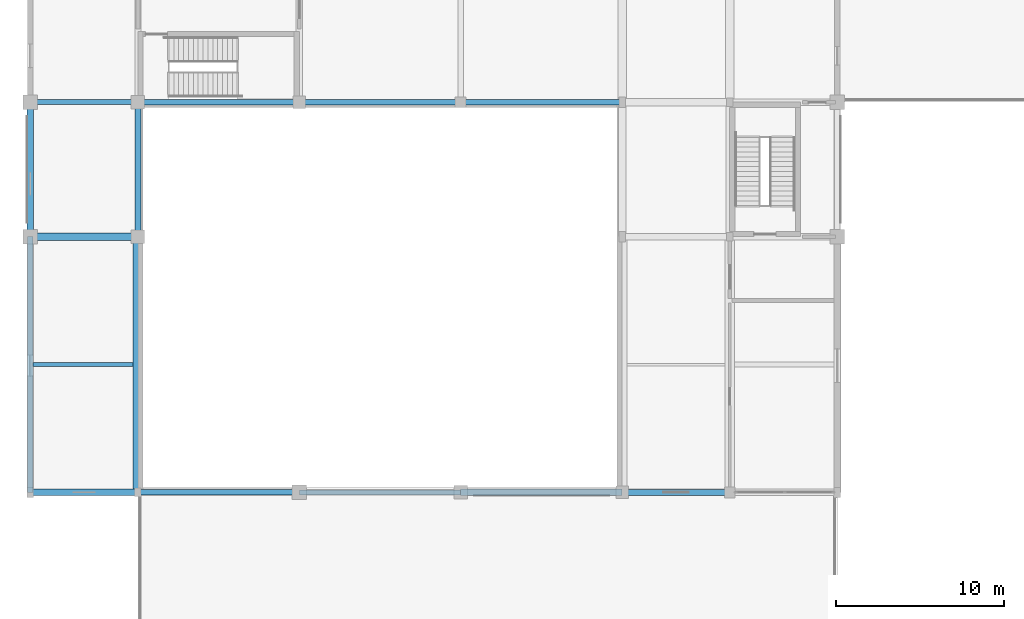
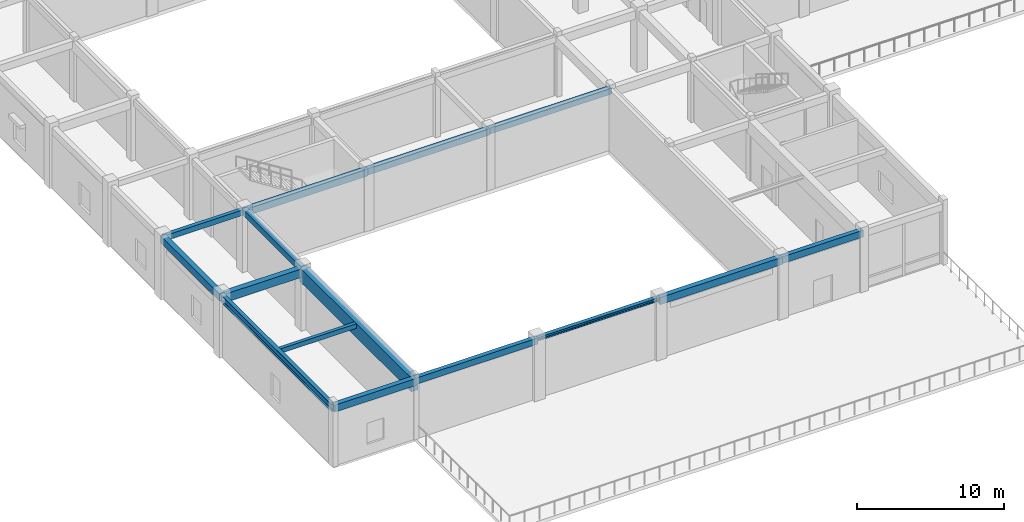
# One storey, part 3 of 36: 15 beams.
"""IFC4 building model written with IfcOpenShell, lengths in metres."""

import ifcopenshell
import ifcopenshell.guid

model = None  # the IFC model being written
_history = None  # IfcOwnerHistory: only IFC2X3 demands one
_inside = {}  # id of a spatial element -> (the spatial element, [elements in it])
_under = {}  # id of a project, library or spatial element -> (it, [spatial elements below it])
_declared = {}  # id of a project -> (the project, [libraries it declares])
_typed = {}  # id of a type object -> (the type object, [elements of that type])
_made_of = {}  # id of a material, layer set ... -> (it, [elements and type objects made of it])


def new_model(schema):
    """Start an empty IFC model of exactly this schema.

    Asked for "IFC4X3", IfcOpenShell would pick the latest addendum, in which some entities
    have other attributes; the version numbers below select the first issue.
    IFC2X3 requires an IfcOwnerHistory on every rooted entity: one is made here for all.
    """
    global model, _history
    if schema == "IFC4X3":
        model = ifcopenshell.file(schema_version=(4, 3, 0, 0))
    else:
        model = ifcopenshell.file(schema=schema)
    _inside.clear()
    _under.clear()
    _declared.clear()
    _typed.clear()
    _made_of.clear()
    _history = None
    if model.schema == "IFC2X3":
        org = make("IfcOrganization", Name="unknown")
        user = make(
            "IfcPersonAndOrganization",
            ThePerson=make("IfcPerson", FamilyName="unknown"),
            TheOrganization=org,
        )
        app = make(
            "IfcApplication",
            ApplicationDeveloper=org,
            Version="unknown",
            ApplicationFullName="unknown",
            ApplicationIdentifier="unknown",
        )
        _history = make(
            "IfcOwnerHistory",
            OwningUser=user,
            OwningApplication=app,
            ChangeAction="ADDED",
            CreationDate=0,
        )
    return model


def make(cls, **values):
    """One entity of the class cls with the attributes given. An attribute that is None is left unset."""
    return model.create_entity(
        cls, **{name: value for name, value in values.items() if value is not None}
    )


def rooted(cls, **values):
    """An entity with a GlobalId (a new one), such as an element, a storey or a relation."""
    return make(cls, GlobalId=ifcopenshell.guid.new(), OwnerHistory=_history, **values)


def si_unit(unit_type, name, prefix=None):
    """IfcSIUnit, for example si_unit("LENGTHUNIT", "METRE", prefix="MILLI")."""
    return make("IfcSIUnit", UnitType=unit_type, Prefix=prefix, Name=name)


def assignment(units):
    """IfcUnitAssignment: the units of a project."""
    return None if units is None else make("IfcUnitAssignment", Units=units)


def point(xyz):
    """IfcCartesianPoint."""
    return None if xyz is None else make("IfcCartesianPoint", Coordinates=xyz)


def direction(xyz):
    """IfcDirection."""
    return None if xyz is None else make("IfcDirection", DirectionRatios=xyz)


def frame(location, z_axis=None, x_axis=None):
    """IfcAxis2Placement3D, a coordinate frame: its origin and axes. An axis left out is left unset."""
    return make(
        "IfcAxis2Placement3D",
        Location=point(location),
        Axis=direction(z_axis),
        RefDirection=direction(x_axis),
    )


def frame_2d(location, x_axis=None):
    """IfcAxis2Placement2D, a coordinate frame in the plane: its origin and x axis."""
    return make(
        "IfcAxis2Placement2D", Location=point(location), RefDirection=direction(x_axis)
    )


def origin():
    """The frame at (0, 0, 0) with its axes left unset."""
    return frame((0.0, 0.0, 0.0))


def origin_2d():
    """The frame at (0, 0) in the plane with its x axis left unset."""
    return frame_2d((0.0, 0.0))


def place(relative_to, where):
    """IfcLocalPlacement: puts the frame where relative to a parent placement (None: the world)."""
    return make(
        "IfcLocalPlacement", PlacementRelTo=relative_to, RelativePlacement=where
    )


def context(
    kind, dimensions, precision=None, world=None, true_north=None, identifier=None
):
    """IfcGeometricRepresentationContext, for example the 3D "Model" context."""
    return make(
        "IfcGeometricRepresentationContext",
        ContextIdentifier=identifier,
        ContextType=kind,
        CoordinateSpaceDimension=dimensions,
        Precision=precision,
        WorldCoordinateSystem=world,
        TrueNorth=true_north,
    )


def subcontext(parent, identifier, kind, view, scale=None):
    """IfcGeometricRepresentationSubContext, for example "Body" below "Model"."""
    return make(
        "IfcGeometricRepresentationSubContext",
        ContextIdentifier=identifier,
        ContextType=kind,
        ParentContext=parent,
        TargetScale=scale,
        TargetView=view,
    )


def project(units=None, contexts=None):
    """IfcProject with its units and contexts."""
    return rooted(
        "IfcProject",
        Name="project",
        RepresentationContexts=contexts,
        UnitsInContext=assignment(units),
    )


def spatial(cls, under=None, at=None, **own):
    """A site, building, storey or space (cls), placed at a placement, below another one or the project."""
    s = rooted(cls, ObjectPlacement=at, **own)
    if under is not None:
        _under.setdefault(under.id(), (under, []))[1].append(s)
    return s


def profile(cls, at=None, kind="AREA", **sizes):
    """A parametric profile (cls). Its sizes go by their IFC names, for example OverallWidth=200.0."""
    return make(cls, ProfileType=kind, Position=at, **sizes)


def rectangle(**sizes):
    """IfcRectangleProfileDef."""
    return profile("IfcRectangleProfileDef", **sizes)


def i_section(**sizes):
    """IfcIShapeProfileDef."""
    return profile("IfcIShapeProfileDef", **sizes)


def extrude(swept, where, along, depth):
    """IfcExtrudedAreaSolid: the profile swept, set in the frame where, extruded along a direction by depth."""
    return make(
        "IfcExtrudedAreaSolid",
        SweptArea=swept,
        Position=where,
        ExtrudedDirection=direction(along),
        Depth=depth,
    )


def shape(context_of_items, identifier, shape_type, items):
    """IfcShapeRepresentation: the items that make up one representation, for example the "Body"."""
    return make(
        "IfcShapeRepresentation",
        ContextOfItems=context_of_items,
        RepresentationIdentifier=identifier,
        RepresentationType=shape_type,
        Items=items,
    )


def material(Name=None, Category=None):
    """IfcMaterial."""
    return make("IfcMaterial", Name=Name, Category=Category)


def material_profile(
    of_material, cross_section, Name=None, Category=None, Priority=None
):
    """IfcMaterialProfile: a cross section and its material."""
    return make(
        "IfcMaterialProfile",
        Name=Name,
        Material=of_material,
        Profile=cross_section,
        Priority=Priority,
        Category=Category,
    )


def profile_set(profiles, Name=None, composite=None):
    """IfcMaterialProfileSet."""
    return make(
        "IfcMaterialProfileSet",
        Name=Name,
        MaterialProfiles=profiles,
        CompositeProfile=composite,
    )


def made_of(thing, what):
    """Note that an element or type object is made of a material, layer set ...; save() writes the relation."""
    if what is not None:
        _made_of.setdefault(what.id(), (what, []))[1].append(thing)
    return thing


def type_object(cls, material=None, **own):
    """A type object (cls), such as IfcWallType, which elements share."""
    return made_of(rooted(cls, **own), material)


def element(
    cls,
    number,
    at=None,
    inside=None,
    cuts=None,
    type_object=None,
    material=None,
    context=None,
    identifier="Body",
    shape_type=None,
    held_by="IfcProductDefinitionShape",
    body=None,
    shapes=None,
    **own,
):
    """One element of the class cls, such as IfcWall. Its Tag is "e" and its number.

    at: its placement. inside: the storey or other place that contains it. cuts: it is an
    opening in that element (IfcRelVoidsElement). A single representation is given by context,
    identifier, shape_type and body (its items); several are given by shapes. held_by: the class
    of the entity that holds the representations. save() writes the other relations.
    """
    e = rooted(cls, Tag="e%d" % number, ObjectPlacement=at, **own)
    if body is not None:
        shapes = [shape(context, identifier, shape_type, body)]
    if shapes is not None:
        e.Representation = make(held_by, Representations=shapes)
    if inside is not None:
        _inside.setdefault(inside.id(), (inside, []))[1].append(e)
    if cuts is not None:
        rooted(
            "IfcRelVoidsElement", RelatingBuildingElement=cuts, RelatedOpeningElement=e
        )
    if type_object is not None:
        _typed.setdefault(type_object.id(), (type_object, []))[1].append(e)
    return made_of(e, material)


def aggregate(whole, parts):
    """IfcRelAggregates: a whole, such as a stair, and the parts it consists of."""
    return rooted("IfcRelAggregates", RelatingObject=whole, RelatedObjects=parts)


def save(model, path):
    """Write the relations noted so far, then the file.

    IfcRelAggregates (storeys below a building ...), IfcRelContainedInSpatialStructure (elements
    in a storey), IfcRelDefinesByType, IfcRelAssociatesMaterial and IfcRelDeclares: one each for
    every whole, place, type object, material and project.
    """
    for whole, parts in _under.values():
        aggregate(whole, parts)
    for where, things in _inside.values():
        rooted(
            "IfcRelContainedInSpatialStructure",
            RelatedElements=things,
            RelatingStructure=where,
        )
    for kind, things in _typed.values():
        rooted("IfcRelDefinesByType", RelatedObjects=things, RelatingType=kind)
    for what, things in _made_of.values():
        rooted("IfcRelAssociatesMaterial", RelatedObjects=things, RelatingMaterial=what)
    for by, libraries in _declared.values():
        rooted("IfcRelDeclares", RelatingContext=by, RelatedDefinitions=libraries)
    model.write(path)


model = new_model("IFC4")

# Units and contexts
model_context = context("Model", 3, precision=1e-05, world=origin(), true_north=direction((0.0, 1.0)))
body_context = subcontext(model_context, "Body", "Model", "MODEL_VIEW")
ifc_project = project(units=[si_unit("LENGTHUNIT", "METRE"), si_unit("AREAUNIT", "SQUARE_METRE"), si_unit("VOLUMEUNIT", "CUBIC_METRE"), si_unit("PLANEANGLEUNIT", "RADIAN"), si_unit("MASSUNIT", "GRAM", prefix="KILO")], contexts=[model_context])

# Site, building, storey
site_placement = place(None, origin())
site = spatial("IfcSite", under=ifc_project, at=site_placement, CompositionType="ELEMENT")
building_placement = place(site_placement, origin())
building = spatial("IfcBuilding", under=site, at=building_placement, Name="Vellmiral Cinema and Media Centre", CompositionType="ELEMENT")
storey_placement = place(building_placement, frame((0.0, 0.0, 5.39990234375)))
storey = spatial("IfcBuildingStorey", under=building, at=storey_placement, Name="L01", CompositionType="ELEMENT", Elevation=5.39990234375)

# Beams
ifc_material_1 = material(Name="Concrete C40/50", Category="concrete")
ifc_material_profile_1 = material_profile(ifc_material_1, rectangle(XDim=0.300048828125, YDim=0.449951171875, at=origin_2d()), Name="RC 300x450")
ifc_profile_set_1 = profile_set([ifc_material_profile_1], Name="Concrete C40/50")
beam_type_1 = type_object("IfcBeamType", Name="BM-RC-300x450", PredefinedType="BEAM", material=ifc_profile_set_1)
beam_1_placement = place(storey_placement, frame((0.0, 36.0, 4.81005859375), z_axis=(1.0, 0.0, 0.0), x_axis=(0.0, 1.0, 0.0)))
element("IfcBeam", 1, at=beam_1_placement, inside=storey, type_object=beam_type_1, Name="Grid Beam L01-X018", PredefinedType="BEAM", context=body_context, shape_type="SweptSolid", body=[
    extrude(rectangle(XDim=0.300048828125, YDim=0.449951171875, at=origin_2d()), origin(), (0.0, 0.0, 1.0), 6.39990234375),
])
ifc_material_2 = material(Name="Concrete C40/50", Category="concrete")
ifc_material_profile_2 = material_profile(ifc_material_2, rectangle(XDim=0.35009765625, YDim=0.5, at=origin_2d()), Name="RC 350x500")
ifc_profile_set_2 = profile_set([ifc_material_profile_2], Name="Concrete C40/50")
beam_type_2 = type_object("IfcBeamType", Name="BM-RC-350x500", PredefinedType="BEAM", material=ifc_profile_set_2)
beam_2_placement = place(storey_placement, frame((25.60009765625, 36.0, 4.78515625), z_axis=(1.0, 0.0, 0.0), x_axis=(0.0, 1.0, 0.0)))
element("IfcBeam", 2, at=beam_2_placement, inside=storey, type_object=beam_type_2, Name="Grid Beam L01-X021", PredefinedType="BEAM", context=body_context, shape_type="SweptSolid", body=[
    extrude(rectangle(XDim=0.35009765625, YDim=0.5, at=origin_2d()), origin(), (0.0, 0.0, 1.0), 9.599853515625),
])
beam_3_placement = place(storey_placement, frame((6.39990234375, 28.0, 4.78515625), z_axis=(0.0, 1.0, 0.0), x_axis=(-1.0, 0.0, 0.0)))
element("IfcBeam", 3, at=beam_3_placement, inside=storey, type_object=beam_type_2, Name="Grid Beam L01-Y189", PredefinedType="BEAM", context=body_context, shape_type="SweptSolid", body=[
    extrude(rectangle(XDim=0.35009765625, YDim=0.5, at=origin_2d()), origin(), (0.0, 0.0, 1.0), 8.0),
])
ifc_material_3 = material(Name="Concrete C40/50", Category="concrete")
ifc_material_profile_3 = material_profile(ifc_material_3, rectangle(XDim=0.35009765625, YDim=0.550048828125, at=origin_2d()), Name="RC 350x550")
ifc_profile_set_3 = profile_set([ifc_material_profile_3], Name="Concrete C40/50")
beam_type_3 = type_object("IfcBeamType", Name="BM-RC-350x550", PredefinedType="BEAM", material=ifc_profile_set_3)
beam_4_placement = place(storey_placement, frame((16.0, 36.0, 4.760009765625), z_axis=(1.0, 0.0, 0.0), x_axis=(0.0, 1.0, 0.0)))
element("IfcBeam", 4, at=beam_4_placement, inside=storey, type_object=beam_type_3, Name="Grid Beam L01-X020", PredefinedType="BEAM", context=body_context, shape_type="SweptSolid", body=[
    extrude(rectangle(XDim=0.35009765625, YDim=0.550048828125, at=origin_2d()), origin(), (0.0, 0.0, 1.0), 9.60009765625),
])
ifc_material_4 = material(Name="Concrete C40/50", Category="concrete")
ifc_material_profile_4 = material_profile(ifc_material_4, rectangle(XDim=0.35009765625, YDim=0.60009765625, at=origin_2d()), Name="RC 350x600")
ifc_profile_set_4 = profile_set([ifc_material_profile_4], Name="Concrete C40/50")
beam_type_4 = type_object("IfcBeamType", Name="BM-RC-350x600", PredefinedType="BEAM", material=ifc_profile_set_4)
beam_5_placement = place(storey_placement, frame((6.39990234375, 36.0, 4.735107421875), z_axis=(1.0, 0.0, 0.0), x_axis=(0.0, 1.0, 0.0)))
element("IfcBeam", 5, at=beam_5_placement, inside=storey, type_object=beam_type_4, Name="Grid Beam L01-X019", PredefinedType="BEAM", context=body_context, shape_type="SweptSolid", body=[
    extrude(rectangle(XDim=0.35009765625, YDim=0.60009765625, at=origin_2d()), origin(), (0.0, 0.0, 1.0), 9.60009765625),
])
ifc_material_5 = material(Name="Concrete C40/50", Category="concrete")
ifc_material_profile_5 = material_profile(ifc_material_5, rectangle(XDim=0.449951171875, YDim=0.699951171875, at=origin_2d()), Name="RC 450x700")
ifc_profile_set_5 = profile_set([ifc_material_profile_5], Name="Concrete C40/50")
beam_type_5 = type_object("IfcBeamType", Name="BM-RC-450x700", PredefinedType="BEAM", material=ifc_profile_set_5)
beam_6_placement = place(storey_placement, frame((0.0, 28.0, 4.68505859375), z_axis=(1.0, 0.0, 0.0), x_axis=(0.0, 1.0, 0.0)))
element("IfcBeam", 6, at=beam_6_placement, inside=storey, type_object=beam_type_5, Name="Grid Beam L01-X011", PredefinedType="BEAM", context=body_context, shape_type="SweptSolid", body=[
    extrude(rectangle(XDim=0.449951171875, YDim=0.699951171875, at=origin_2d()), origin(), (0.0, 0.0, 1.0), 6.39990234375),
])
ifc_material_6 = material(Name="Concrete C40/50", Category="concrete")
ifc_material_profile_6 = material_profile(ifc_material_6, rectangle(XDim=0.550048828125, YDim=1.14990234375, at=origin_2d()), Name="RC 550x1150")
ifc_profile_set_6 = profile_set([ifc_material_profile_6], Name="Concrete C40/50")
beam_type_6 = type_object("IfcBeamType", Name="BM-RCG-550x1150", PredefinedType="BEAM", material=ifc_profile_set_6)
beam_7_placement = place(storey_placement, frame((6.39990234375, 12.800048828125, 4.460205078125), z_axis=(0.0, 1.0, 0.0), x_axis=(-1.0, 0.0, 0.0)))
element("IfcBeam", 7, at=beam_7_placement, inside=storey, type_object=beam_type_6, Name="Grid Beam L01-Y188", PredefinedType="BEAM", context=body_context, shape_type="SweptSolid", body=[
    extrude(rectangle(XDim=0.550048828125, YDim=1.14990234375, at=origin_2d()), origin(), (0.0, 0.0, 1.0), 15.199951171875),
])
ifc_material_7 = material(Name="Concrete C40/50", Category="concrete")
ifc_material_profile_7 = material_profile(ifc_material_7, rectangle(XDim=0.260009765625, YDim=0.3798828125, at=origin_2d()), Name="RC 260x380")
ifc_profile_set_7 = profile_set([ifc_material_profile_7], Name="Concrete C40/50")
beam_type_7 = type_object("IfcBeamType", Name="JST-RC-260x380", PredefinedType="JOIST", material=ifc_profile_set_7)
beam_8_placement = place(storey_placement, frame((0.14990234375, 20.39990234375, 4.84521484375), z_axis=(1.0, 0.0, 0.0), x_axis=(0.0, 1.0, 0.0)))
element("IfcBeam", 8, at=beam_8_placement, inside=storey, type_object=beam_type_7, Name="Secondary Floor Joist L01-001", PredefinedType="JOIST", context=body_context, shape_type="SweptSolid", body=[
    extrude(rectangle(XDim=0.260009765625, YDim=0.3798828125, at=origin_2d()), origin(), (0.0, 0.0, 1.0), 5.97509765625),
])
ifc_material_8 = material(Name="Steel S355", Category="steel")
ifc_material_profile_8 = material_profile(ifc_material_8, i_section(OverallWidth=0.300048828125, OverallDepth=0.300048828125, WebThickness=0.010986328125, FlangeThickness=0.01904296875, FilletRadius=0.027099609375, at=origin_2d()), Name="HEB 300")
ifc_profile_set_8 = profile_set([ifc_material_profile_8], Name="Steel S355")
beam_type_8 = type_object("IfcBeamType", Name="SBM-HEB300", PredefinedType="SPANDREL", material=ifc_profile_set_8)
beam_9_placement = place(storey_placement, frame((16.0, 12.800048828125, 4.885009765625), z_axis=(1.0, 0.0, 0.0), x_axis=(0.0, 1.0, 0.0)))
element("IfcBeam", 9, at=beam_9_placement, inside=storey, type_object=beam_type_8, Name="Grid Beam L01-X003", PredefinedType="SPANDREL", context=body_context, shape_type="SweptSolid", body=[
    extrude(i_section(OverallWidth=0.300048828125, OverallDepth=0.300048828125, WebThickness=0.010986328125, FlangeThickness=0.01904296875, FilletRadius=0.027099609375, at=origin_2d()), origin(), (0.0, 0.0, 1.0), 9.60009765625),
])
ifc_material_9 = material(Name="Steel S355", Category="steel")
ifc_material_profile_9 = material_profile(ifc_material_9, i_section(OverallWidth=0.300048828125, OverallDepth=0.60009765625, WebThickness=0.015380859375, FlangeThickness=0.030029296875, FilletRadius=0.027099609375, at=origin_2d()), Name="HEB 600")
ifc_profile_set_9 = profile_set([ifc_material_profile_9], Name="Steel S355")
beam_type_9 = type_object("IfcBeamType", Name="SBM-HEB600-SPD", PredefinedType="SPANDREL", material=ifc_profile_set_9)
beam_10_placement = place(storey_placement, frame((0.0, 12.800048828125, 4.735107421875), z_axis=(0.0, 1.0, 0.0), x_axis=(-1.0, 0.0, 0.0)))
element("IfcBeam", 10, at=beam_10_placement, inside=storey, type_object=beam_type_9, Name="Grid Beam L01-Y178", PredefinedType="SPANDREL", context=body_context, shape_type="SweptSolid", body=[
    extrude(i_section(OverallWidth=0.300048828125, OverallDepth=0.60009765625, WebThickness=0.015380859375, FlangeThickness=0.030029296875, FilletRadius=0.027099609375, at=origin_2d()), origin(), (0.0, 0.0, 1.0), 15.199951171875),
])
ifc_material_10 = material(Name="Concrete C40/50", Category="concrete")
ifc_material_profile_10 = material_profile(ifc_material_10, rectangle(XDim=0.35009765625, YDim=0.56005859375, at=origin_2d()), Name="RC 350x560")
ifc_profile_set_10 = profile_set([ifc_material_profile_10], Name="Concrete C40/50")
beam_type_10 = type_object("IfcBeamType", Name="SPD-RC-350x560", PredefinedType="SPANDREL", material=ifc_profile_set_10)
beam_11_placement = place(storey_placement, frame((35.199951171875, 12.800048828125, 4.755126953125), z_axis=(1.0, 0.0, 0.0), x_axis=(0.0, 1.0, 0.0)))
element("IfcBeam", 11, at=beam_11_placement, inside=storey, type_object=beam_type_10, Name="Grid Beam L01-X005", PredefinedType="SPANDREL", context=body_context, shape_type="SweptSolid", body=[
    extrude(rectangle(XDim=0.35009765625, YDim=0.56005859375, at=origin_2d()), origin(), (0.0, 0.0, 1.0), 6.400146484375),
])
ifc_material_11 = material(Name="Concrete C40/50", Category="concrete")
ifc_material_profile_11 = material_profile(ifc_material_11, rectangle(XDim=0.39990234375, YDim=0.60009765625, at=origin_2d()), Name="RC 400x600")
ifc_profile_set_11 = profile_set([ifc_material_profile_11], Name="Concrete C40/50")
beam_type_11 = type_object("IfcBeamType", Name="SPD-RC-400x600", PredefinedType="SPANDREL", material=ifc_profile_set_11)
beam_12_placement = place(storey_placement, frame((25.60009765625, 12.800048828125, 4.735107421875), z_axis=(1.0, 0.0, 0.0), x_axis=(0.0, 1.0, 0.0)))
element("IfcBeam", 12, at=beam_12_placement, inside=storey, type_object=beam_type_11, Name="Grid Beam L01-X004", PredefinedType="SPANDREL", context=body_context, shape_type="SweptSolid", body=[
    extrude(rectangle(XDim=0.39990234375, YDim=0.60009765625, at=origin_2d()), origin(), (0.0, 0.0, 1.0), 9.599853515625),
])
beam_13_placement = place(storey_placement, frame((0.0, 28.0, 4.735107421875), z_axis=(0.0, 1.0, 0.0), x_axis=(-1.0, 0.0, 0.0)))
element("IfcBeam", 13, at=beam_13_placement, inside=storey, type_object=beam_type_11, Name="Grid Beam L01-Y179", PredefinedType="SPANDREL", context=body_context, shape_type="SweptSolid", body=[
    extrude(rectangle(XDim=0.39990234375, YDim=0.60009765625, at=origin_2d()), origin(), (0.0, 0.0, 1.0), 8.0),
])
ifc_material_12 = material(Name="Vosges Red Sandstone Masonry", Category="masonry")
ifc_material_profile_12 = material_profile(ifc_material_12, rectangle(XDim=0.340087890625, YDim=0.52001953125, at=origin_2d()), Name="SAND 340x520")
ifc_profile_set_12 = profile_set([ifc_material_profile_12], Name="Vosges Red Sandstone Masonry")
beam_type_12 = type_object("IfcBeamType", Name="SPD-SAND-340x520", PredefinedType="SPANDREL", material=ifc_profile_set_12)
beam_14_placement = place(storey_placement, frame((6.39990234375, 12.800048828125, 4.775146484375), z_axis=(1.0, 0.0, 0.0), x_axis=(0.0, 1.0, 0.0)))
element("IfcBeam", 14, at=beam_14_placement, inside=storey, type_object=beam_type_12, Name="Grid Beam L01-X002", PredefinedType="SPANDREL", context=body_context, shape_type="SweptSolid", body=[
    extrude(rectangle(XDim=0.340087890625, YDim=0.52001953125, at=origin_2d()), origin(), (0.0, 0.0, 1.0), 9.60009765625),
])
ifc_material_13 = material(Name="Vosges Red Sandstone Masonry", Category="masonry")
ifc_material_profile_13 = material_profile(ifc_material_13, rectangle(XDim=0.3798828125, YDim=0.580078125, at=origin_2d()), Name="SAND 380x580")
ifc_profile_set_13 = profile_set([ifc_material_profile_13], Name="Vosges Red Sandstone Masonry")
beam_type_13 = type_object("IfcBeamType", Name="SPD-SAND-380x580", PredefinedType="SPANDREL", material=ifc_profile_set_13)
beam_15_placement = place(storey_placement, frame((0.0, 12.800048828125, 4.7451171875), z_axis=(1.0, 0.0, 0.0), x_axis=(0.0, 1.0, 0.0)))
element("IfcBeam", 15, at=beam_15_placement, inside=storey, type_object=beam_type_13, Name="Grid Beam L01-X001", PredefinedType="SPANDREL", context=body_context, shape_type="SweptSolid", body=[
    extrude(rectangle(XDim=0.3798828125, YDim=0.580078125, at=origin_2d()), origin(), (0.0, 0.0, 1.0), 6.39990234375),
])

save(model, "model.ifc")
